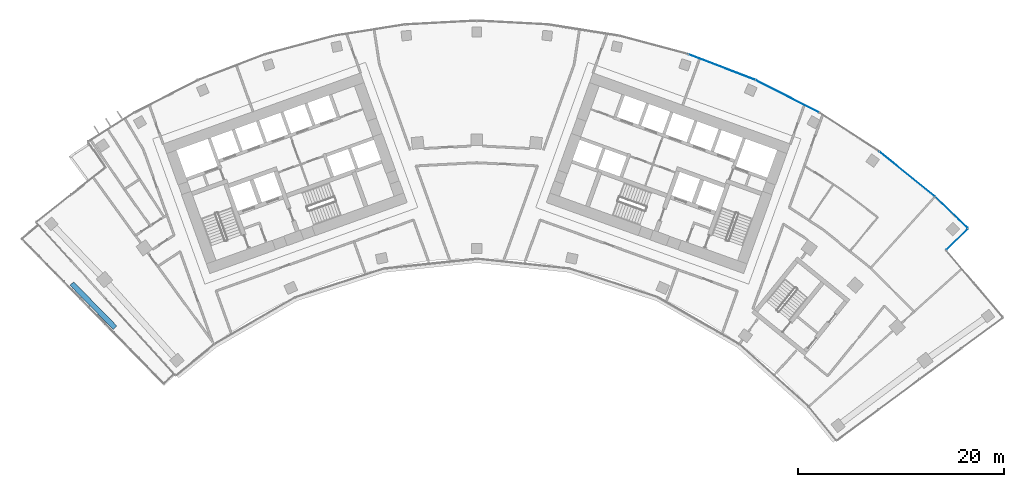
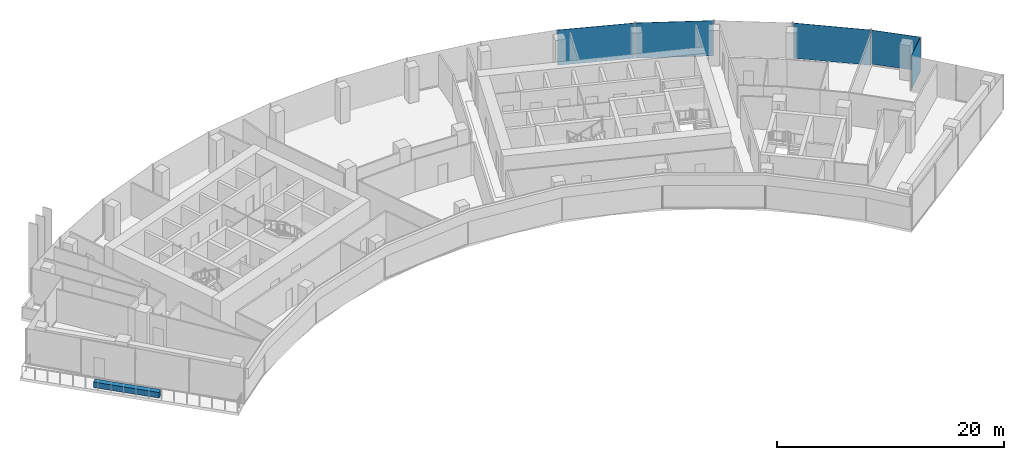
# One storey, part 11 of 19: 5 plates, 1 wall, 2 elements without a shape of their own.
"""IFC4 building model written with IfcOpenShell, lengths in metres."""

from ifc_helpers import new_model, si_unit, direction, frame, origin, origin_2d, place, context, subcontext, project, spatial, rectangle, extrude, material, layer, layer_set, type_object, element, aggregate, save


model = new_model("IFC4")

# Units and contexts
model_context = context("Model", 3, precision=1e-05, world=origin(), true_north=direction((0.0, 1.0)))
body_context = subcontext(model_context, "Body", "Model", "MODEL_VIEW")
ifc_project = project(units=[si_unit("LENGTHUNIT", "METRE"), si_unit("AREAUNIT", "SQUARE_METRE"), si_unit("VOLUMEUNIT", "CUBIC_METRE"), si_unit("PLANEANGLEUNIT", "RADIAN"), si_unit("MASSUNIT", "GRAM", prefix="KILO")], contexts=[model_context])

# Site, building, storey
site_placement = place(None, origin())
site = spatial("IfcSite", under=ifc_project, at=site_placement, CompositionType="ELEMENT")
building_placement = place(site_placement, origin())
building = spatial("IfcBuilding", under=site, at=building_placement, Name="Stone Belt Terrace Tower", CompositionType="ELEMENT")
storey_placement = place(building_placement, frame((0.0, 0.0, 227.60009765625)))
storey = spatial("IfcBuildingStorey", under=building, at=storey_placement, Name="L55", CompositionType="ELEMENT", Elevation=227.60009765625)

# Curtain wall, plates
ifc_material_1 = material(Name="Aluminium 6063-T6 anodised frame", Category="aluminium")
ifc_layer_1 = layer(ifc_material_1, 0.14990234375)
ifc_layer_set_1 = layer_set([ifc_layer_1], Name="CW-A unitised convex-face curtain wall")
curtain_wall_type_1 = type_object("IfcCurtainWallType", Name="CW-A unitised convex-face curtain wall", PredefinedType="NOTDEFINED", material=ifc_layer_set_1)
curtain_wall_1_placement = place(storey_placement, origin())
curtain_wall_1 = element("IfcCurtainWall", 1, at=curtain_wall_1_placement, inside=storey, type_object=curtain_wall_type_1, Name="CW-A convex face L55", PredefinedType="NOTDEFINED")
ifc_material_2 = material(Name="Clear double glazed unit")
ifc_layer_2 = layer(ifc_material_2, 0.031982421875)
ifc_layer_set_2 = layer_set([ifc_layer_2], Name="CW-A glass panel 32")
plate_type_1 = type_object("IfcPlateType", Name="CW-A glass panel 32", PredefinedType="CURTAIN_PANEL", material=ifc_layer_set_2)
plate_1_placement = place(storey_placement, frame((46.14599609375, 47.936767578125, 0.14013671875), z_axis=(0.0, 0.0, 1.0), x_axis=(-0.720604393579, 0.693346455933, 0.0)))
plate_1 = element("IfcPlate", 2, at=plate_1_placement, type_object=plate_type_1, Name="CW-A panel 1.1", PredefinedType="CURTAIN_PANEL", context=body_context, shape_type="SweptSolid", body=[
    extrude(rectangle(XDim=4.372314453125, YDim=0.031982421875, at=origin_2d()), origin(), (0.0, 0.0, 1.0), 3.659912109375),
])
plate_2_placement = place(storey_placement, frame((41.839599609375, 51.667724609375, 0.0), z_axis=(0.0, 0.0, 1.0), x_axis=(-0.777145961457, 0.62932039105, 0.0)))
plate_2 = element("IfcPlate", 3, at=plate_2_placement, type_object=plate_type_1, Name="CW-A panel 2.1", PredefinedType="CURTAIN_PANEL", context=body_context, shape_type="SweptSolid", body=[
    extrude(rectangle(XDim=6.90087890625, YDim=0.031982421875, at=origin_2d()), origin(), (0.0, 0.0, 1.0), 3.800048828125),
])
plate_3_placement = place(storey_placement, frame((30.18310546875, 59.237548828125, 0.0), z_axis=(0.0, 0.0, 1.0), x_axis=(-0.891006524188, 0.45399049974, 0.0)))
plate_3 = element("IfcPlate", 4, at=plate_3_placement, type_object=plate_type_1, Name="CW-A panel 4.1", PredefinedType="CURTAIN_PANEL", context=body_context, shape_type="SweptSolid", body=[
    extrude(rectangle(XDim=6.90087890625, YDim=0.031982421875, at=origin_2d()), origin(), (0.0, 0.0, 1.0), 3.800048828125),
])
plate_4_placement = place(storey_placement, frame((23.82568359375, 62.068115234375, 0.0), z_axis=(0.0, 0.0, 1.0), x_axis=(-0.933580426497, 0.358367949545, 0.0)))
plate_4 = element("IfcPlate", 5, at=plate_4_placement, type_object=plate_type_1, Name="CW-A panel 5.1", PredefinedType="CURTAIN_PANEL", context=body_context, shape_type="SweptSolid", body=[
    extrude(rectangle(XDim=6.90087890625, YDim=0.031982421875, at=origin_2d()), origin(), (0.0, 0.0, 1.0), 3.800048828125),
])
aggregate(curtain_wall_1, [plate_1, plate_2, plate_3, plate_4])

# Curtain wall, plate
ifc_layer_3 = layer(ifc_material_1, 0.14990234375)
ifc_layer_set_3 = layer_set([ifc_layer_3], Name="CW-C stick curtain wall, horn ends and notches")
curtain_wall_type_2 = type_object("IfcCurtainWallType", Name="CW-C stick curtain wall, horn ends and notches", PredefinedType="NOTDEFINED", material=ifc_layer_set_3)
curtain_wall_2_placement = place(storey_placement, origin())
curtain_wall_2 = element("IfcCurtainWall", 6, at=curtain_wall_2_placement, inside=storey, type_object=curtain_wall_type_2, Name="CW-C notch face L55", PredefinedType="NOTDEFINED")
ifc_layer_4 = layer(ifc_material_2, 0.028076171875)
ifc_layer_set_4 = layer_set([ifc_layer_4], Name="CW-C glass panel 28")
plate_type_2 = type_object("IfcPlateType", Name="CW-C glass panel 28", PredefinedType="CURTAIN_PANEL", material=ifc_layer_set_4)
plate_5_placement = place(storey_placement, frame((46.69677734375, 45.320068359375, 0.1201171875), z_axis=(0.0, 0.0, 1.0), x_axis=(0.71680345276, 0.697275275707, 0.0)))
plate_5 = element("IfcPlate", 7, at=plate_5_placement, type_object=plate_type_2, Name="CW-C panel 1.1", PredefinedType="CURTAIN_PANEL", context=body_context, shape_type="SweptSolid", body=[
    extrude(rectangle(XDim=2.859619140625, YDim=0.028076171875, at=origin_2d()), origin(), (0.0, 0.0, 1.0), 3.679931640625),
])
aggregate(curtain_wall_2, [plate_5])

# Wall
ifc_material_3 = material(Name="Precast concrete C40/50", Category="concrete")
ifc_layer_5 = layer(ifc_material_3, 0.5)
ifc_layer_set_5 = layer_set([ifc_layer_5], Name="Planter box 500 x 600")
wall_type = type_object("IfcWallType", Name="Planter box 500 x 600", PredefinedType="SOLIDWALL", material=ifc_layer_set_5)
wall_placement = place(storey_placement, frame((-37.270263671875, 38.87451171875, -0.000244140625), z_axis=(0.0, 0.0, 1.0), x_axis=(0.699391266233, -0.714739013009, 0.0)))
element("IfcWall", 8, at=wall_placement, inside=storey, type_object=wall_type, Name="PLANTER L55 1", PredefinedType="SOLIDWALL", context=body_context, shape_type="SweptSolid", body=[
    extrude(rectangle(XDim=6.0, YDim=0.5, at=origin_2d()), origin(), (0.0, 0.0, 1.0), 0.60009765625),
])

save(model, "model.ifc")
